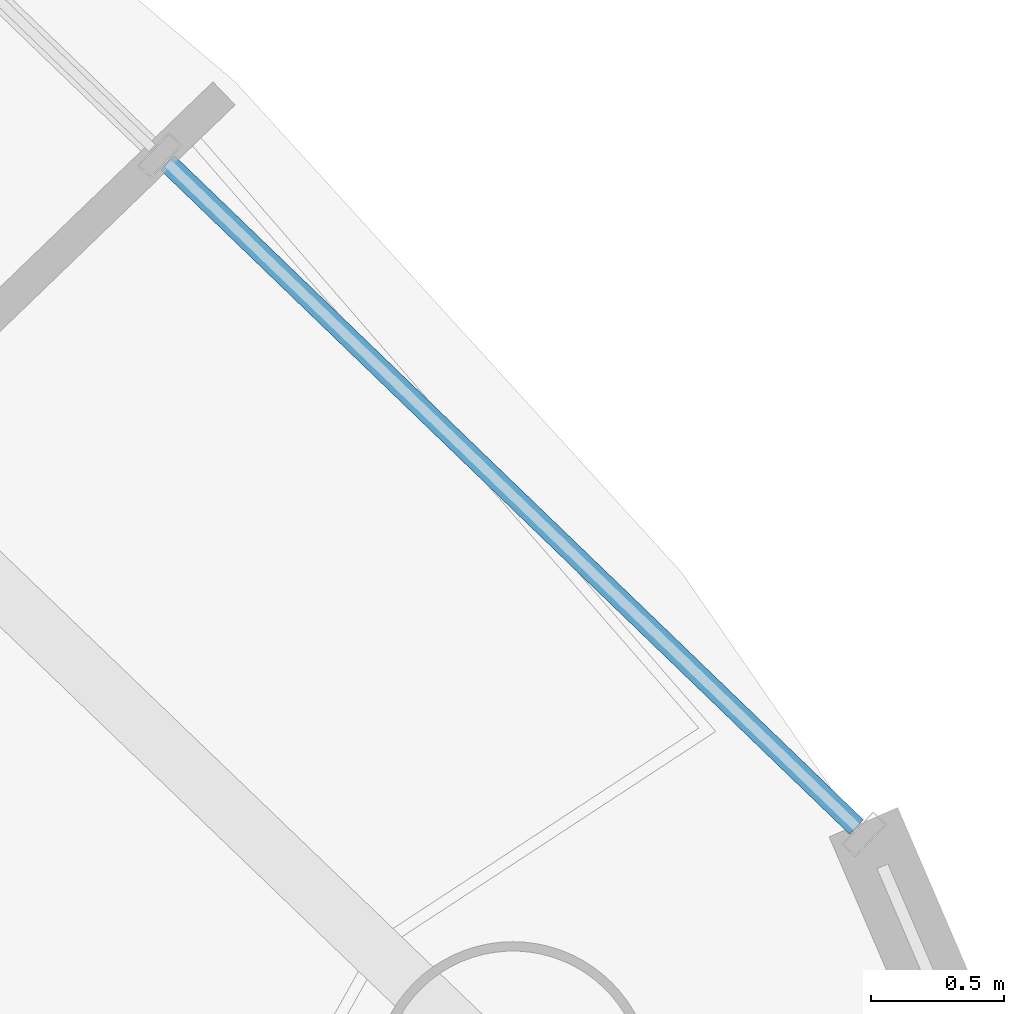
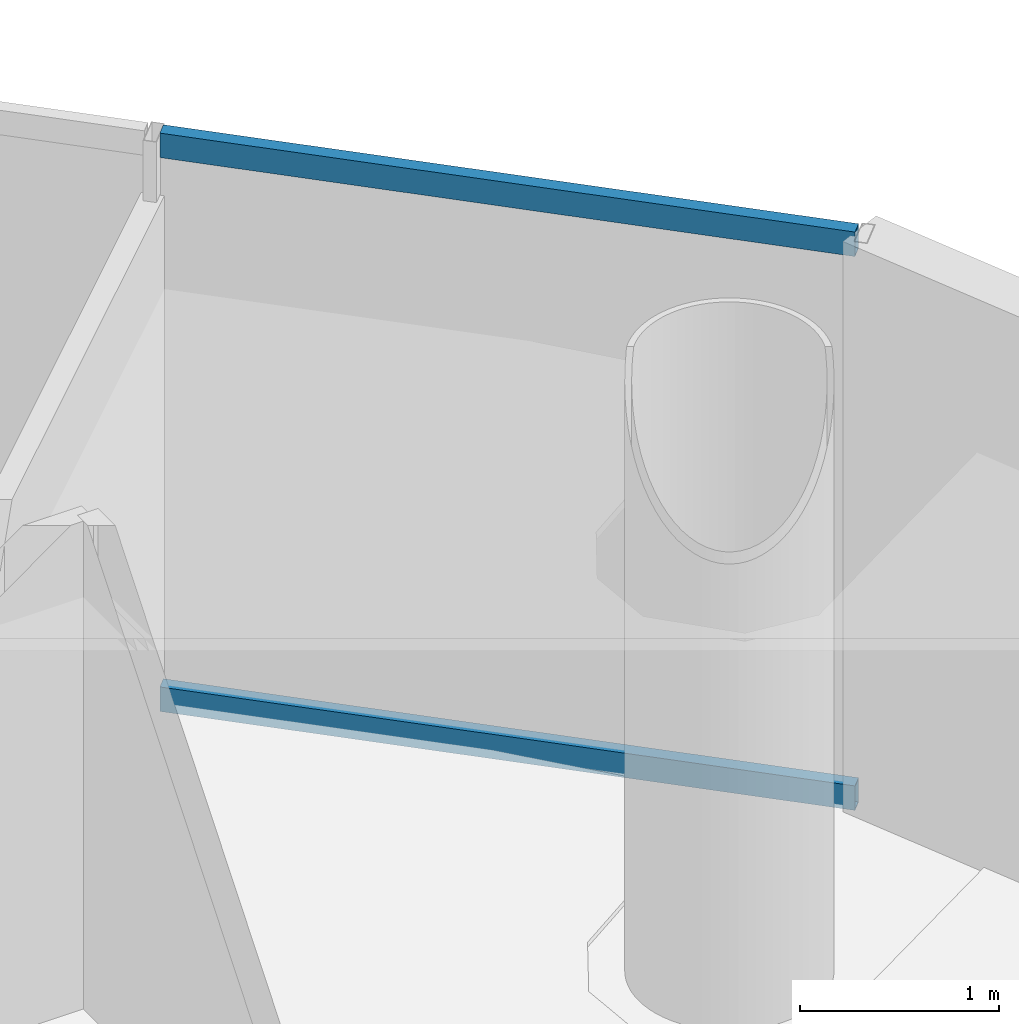
# One storey, part 12 of 23: 2 members, 1 element without a shape of its own.
"""IFC4 building model written with IfcOpenShell, lengths in metres."""

from ifc_helpers import new_model, si_unit, direction, frame, origin, origin_2d, place, context, subcontext, project, spatial, hollow_rectangle, extrude, source, transform, mapped, material, material_profile, profile_set, type_object, element, aggregate, save


model = new_model("IFC4")

# Units and contexts
model_context = context("Model", 3, precision=1e-05, world=origin(), true_north=direction((-0.2419218956, 0.970295726276)))
body_context = subcontext(model_context, "Body", "Model", "MODEL_VIEW")
ifc_project = project(units=[si_unit("LENGTHUNIT", "METRE"), si_unit("AREAUNIT", "SQUARE_METRE"), si_unit("VOLUMEUNIT", "CUBIC_METRE"), si_unit("PLANEANGLEUNIT", "RADIAN"), si_unit("MASSUNIT", "GRAM", prefix="KILO")], contexts=[model_context])

# Site, building, storey
site_placement = place(None, origin())
site = spatial("IfcSite", under=ifc_project, at=site_placement, CompositionType="ELEMENT")
building_placement = place(site_placement, origin())
building = spatial("IfcBuilding", under=site, at=building_placement, Name="Cobrevalo Terracotta Tower", CompositionType="ELEMENT")
storey_placement = place(building_placement, frame((0.0, 0.0, 255.699951171875)))
storey = spatial("IfcBuildingStorey", under=building, at=storey_placement, Name="L67", CompositionType="ELEMENT", Elevation=255.699951171875)

# Curtain wall, members
ifc_material = material(Name="Anodized aluminium", Category="aluminium")
curtain_wall_type = type_object("IfcCurtainWallType", Name="Upper-tower triple-glazed penthouse curtain wall CW-U3", PredefinedType="NOTDEFINED", material=ifc_material)
curtain_wall_placement = place(storey_placement, origin())
curtain_wall = element("IfcCurtainWall", 1, at=curtain_wall_placement, inside=storey, type_object=curtain_wall_type, Name="L67 curtain wall CW-L67-S02", PredefinedType="NOTDEFINED")
ifc_material_profile = material_profile(ifc_material, hollow_rectangle(XDim=0.074951171875, YDim=0.14990234375, WallThickness=0.00439453125, at=origin_2d()), Name="CWT 75x150")
ifc_profile_set = profile_set([ifc_material_profile], Name="Anodized aluminium")
member_type = type_object("IfcMemberType", Name="Tower unitised aluminium transom 75x150", PredefinedType="USERDEFINED", material=ifc_profile_set)
shared_shape = source(origin(), body_context, "Body", "SweptSolid", [
    extrude(hollow_rectangle(XDim=0.074951171875, YDim=0.14990234375, WallThickness=0.00439453125, at=origin_2d()), origin(), (0.0, 0.0, 1.0), 3.59130859375),
])
member_1_placement = place(storey_placement, frame((54.0478515625, 37.22802734375, 0.050048828125), z_axis=(-0.720005628362, 0.693968223427, 0.0), x_axis=(-0.693968223427, -0.720005628362, 0.0)))
member_1 = element("IfcMember", 2, at=member_1_placement, type_object=member_type, Name="CW-L67-S02 transom B01-T1", ObjectType="TRANSOM", PredefinedType="USERDEFINED", context=body_context, shape_type="MappedRepresentation", body=[
    mapped(shared_shape, transform((0.0, 0.0, 0.0), scale=1.0)),
])
member_2_placement = place(storey_placement, frame((54.0478515625, 37.22802734375, 3.43994140625), z_axis=(-0.720005628362, 0.693968223427, 0.0), x_axis=(-0.693968223427, -0.720005628362, 0.0)))
member_2 = element("IfcMember", 3, at=member_2_placement, type_object=member_type, Name="CW-L67-S02 transom B01-T2", ObjectType="TRANSOM", PredefinedType="USERDEFINED", context=body_context, shape_type="MappedRepresentation", body=[
    mapped(shared_shape, transform((0.0, 0.0, 0.0), scale=1.0)),
])
aggregate(curtain_wall, [member_1, member_2])

save(model, "model.ifc")
